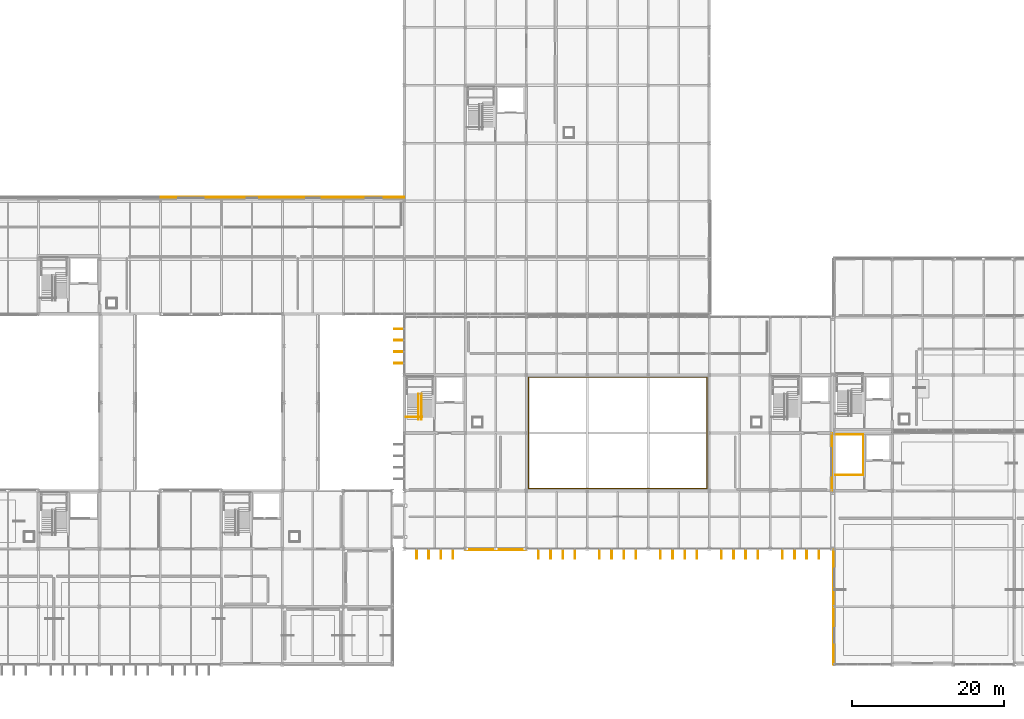
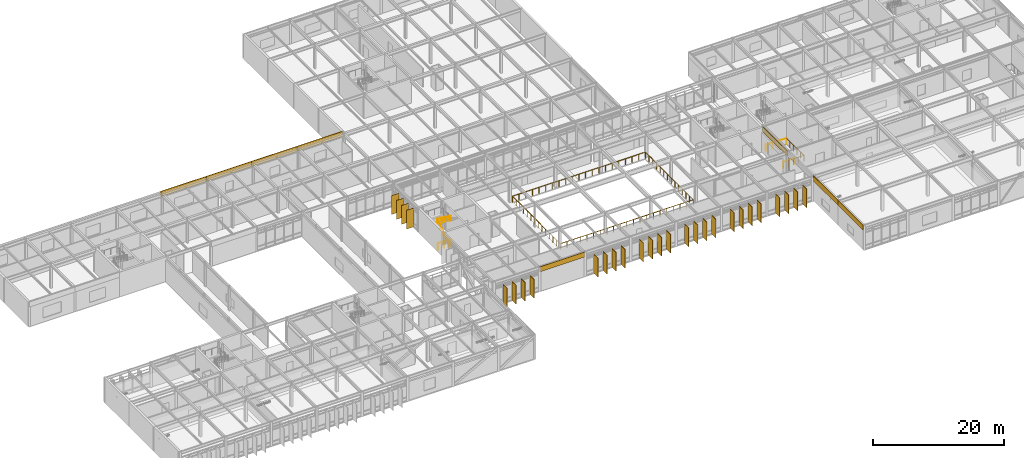
# One storey, part 99 of 104: 28 shading devices, 8 coverings, 7 railings.
"""IFC4 building model written with IfcOpenShell, lengths in metres."""

from ifc_helpers import new_model, si_unit, direction, frame, origin, origin_2d, place, context, subcontext, project, spatial, rectangle, circle, extrude, material, layer, layer_set, type_object, element, save


model = new_model("IFC4")

# Units and contexts
model_context = context("Model", 3, precision=1e-05, world=origin(), true_north=direction((0.0, 1.0)))
body_context = subcontext(model_context, "Body", "Model", "MODEL_VIEW")
ifc_project = project(units=[si_unit("LENGTHUNIT", "METRE"), si_unit("AREAUNIT", "SQUARE_METRE"), si_unit("VOLUMEUNIT", "CUBIC_METRE"), si_unit("PLANEANGLEUNIT", "RADIAN"), si_unit("MASSUNIT", "GRAM", prefix="KILO")], contexts=[model_context])

# Site, building, storey
site_placement = place(None, origin())
site = spatial("IfcSite", under=ifc_project, at=site_placement, CompositionType="ELEMENT")
building_placement = place(site_placement, origin())
building = spatial("IfcBuilding", under=site, at=building_placement, Name="Zulena Civic Courthouse", CompositionType="ELEMENT")
storey_placement = place(building_placement, frame((0.0, 0.0, 15.60009765625)))
storey = spatial("IfcBuildingStorey", under=building, at=storey_placement, Name="L03", CompositionType="ELEMENT", Elevation=15.60009765625)

# Shading devices
ifc_material_1 = material(Name="Gold anodised architectural aluminium AA6063-T6", Category="aluminium")
shading_device_type = type_object("IfcShadingDeviceType", Name="GoldSolarFin_350", PredefinedType="USERDEFINED", material=ifc_material_1)
for number, where, z_axis, x_axis, name in (
    (1, (67.31494140625, 39.54150390625, 0.0498046875), (0.0, 0.0, 1.0), (-1.0, 0.0, 0.0), "fin:V4:L03:0:3:1"),
    (2, (67.31494140625, 41.047119140625, 0.0498046875), (0.0, 0.0, 1.0), (-1.0, 0.0, 0.0), "fin:V4:L03:0:3:2"),
    (3, (67.31494140625, 42.552734375, 0.0498046875), (0.0, 0.0, 1.0), (-1.0, 0.0, 0.0), "fin:V4:L03:0:3:3"),
    (4, (67.31494140625, 44.058349609375, 0.0498046875), (0.0, 0.0, 1.0), (-1.0, 0.0, 0.0), "fin:V4:L03:0:3:4"),
    (5, (122.37841796875, 14.514892578125, 0.0498046875), (0.0, 0.0, 1.0), (0.0, -1.0, 0.0), "fin:V4:L03:3:0:1"),
    (6, (120.792724609375, 14.514892578125, 0.0498046875), (0.0, 0.0, 1.0), (0.0, -1.0, 0.0), "fin:V4:L03:3:0:2"),
    (7, (119.207275390625, 14.514892578125, 0.0498046875), (0.0, 0.0, 1.0), (0.0, -1.0, 0.0), "fin:V4:L03:3:0:3"),
    (8, (117.62158203125, 14.514892578125, 0.0498046875), (0.0, 0.0, 1.0), (0.0, -1.0, 0.0), "fin:V4:L03:3:0:4"),
    (9, (114.37841796875, 14.514892578125, 0.0498046875), (0.0, 0.0, 1.0), (0.0, -1.0, 0.0), "fin:V4:L03:3:1:1"),
    (10, (112.792724609375, 14.514892578125, 0.0498046875), (0.0, 0.0, 1.0), (0.0, -1.0, 0.0), "fin:V4:L03:3:1:2"),
    (11, (111.207275390625, 14.514892578125, 0.0498046875), (0.0, 0.0, 1.0), (0.0, -1.0, 0.0), "fin:V4:L03:3:1:3"),
    (12, (109.62158203125, 14.514892578125, 0.0498046875), (0.0, 0.0, 1.0), (0.0, -1.0, 0.0), "fin:V4:L03:3:1:4"),
    (13, (106.37841796875, 14.514892578125, 0.0498046875), (0.0, 0.0, 1.0), (0.0, -1.0, 0.0), "fin:V4:L03:3:2:1"),
    (14, (104.792724609375, 14.514892578125, 0.0498046875), (0.0, 0.0, 1.0), (0.0, -1.0, 0.0), "fin:V4:L03:3:2:2"),
    (15, (103.207275390625, 14.514892578125, 0.0498046875), (0.0, 0.0, 1.0), (0.0, -1.0, 0.0), "fin:V4:L03:3:2:3"),
    (16, (101.62158203125, 14.514892578125, 0.0498046875), (0.0, 0.0, 1.0), (0.0, -1.0, 0.0), "fin:V4:L03:3:2:4"),
    (17, (98.37841796875, 14.514892578125, 0.0498046875), (0.0, 0.0, 1.0), (0.0, -1.0, 0.0), "fin:V4:L03:3:3:1"),
    (18, (96.792724609375, 14.514892578125, 0.0498046875), (0.0, 0.0, 1.0), (0.0, -1.0, 0.0), "fin:V4:L03:3:3:2"),
    (19, (95.207275390625, 14.514892578125, 0.0498046875), (0.0, 0.0, 1.0), (0.0, -1.0, 0.0), "fin:V4:L03:3:3:3"),
    (20, (93.62158203125, 14.514892578125, 0.0498046875), (0.0, 0.0, 1.0), (0.0, -1.0, 0.0), "fin:V4:L03:3:3:4"),
    (21, (90.37841796875, 14.514892578125, 0.0498046875), (0.0, 0.0, 1.0), (0.0, -1.0, 0.0), "fin:V4:L03:3:4:1"),
    (22, (88.792724609375, 14.514892578125, 0.0498046875), (0.0, 0.0, 1.0), (0.0, -1.0, 0.0), "fin:V4:L03:3:4:2"),
    (23, (87.207275390625, 14.514892578125, 0.0498046875), (0.0, 0.0, 1.0), (0.0, -1.0, 0.0), "fin:V4:L03:3:4:3"),
    (24, (85.62158203125, 14.514892578125, 0.0498046875), (0.0, 0.0, 1.0), (0.0, -1.0, 0.0), "fin:V4:L03:3:4:4"),
    (25, (74.37841796875, 14.514892578125, 0.0498046875), (0.0, 0.0, 1.0), (0.0, -1.0, 0.0), "fin:V4:L03:3:6:1"),
    (26, (72.792724609375, 14.514892578125, 0.0498046875), (0.0, 0.0, 1.0), (0.0, -1.0, 0.0), "fin:V4:L03:3:6:2"),
    (27, (71.207275390625, 14.514892578125, 0.0498046875), (0.0, 0.0, 1.0), (0.0, -1.0, 0.0), "fin:V4:L03:3:6:3"),
    (28, (69.62158203125, 14.514892578125, 0.0498046875), (0.0, 0.0, 1.0), (0.0, -1.0, 0.0), "fin:V4:L03:3:6:4"),
):
    element("IfcShadingDevice", number, at=place(storey_placement, frame(where, z_axis=z_axis, x_axis=x_axis)), inside=storey, type_object=shading_device_type, Name=name, ObjectType="FIN", PredefinedType="USERDEFINED", context=body_context, shape_type="SweptSolid", body=[
        extrude(rectangle(XDim=1.25, YDim=0.080078125, at=origin_2d()), origin(), (0.0, 0.0, 1.0), 3.5),
    ])

# Railings
ifc_material_2 = material(Name="Brushed architectural steel ASTM A36", Category="steel")
railing_type_1 = type_object("IfcRailingType", Name="InteriorGuardrail_1150", PredefinedType="GUARDRAIL", material=ifc_material_2)
railing_1_placement = place(storey_placement, frame((124.60009765625, 30.2099609375, 0.0)))
element("IfcRailing", 29, at=railing_1_placement, inside=storey, type_object=railing_type_1, Name="gr:wellN:K1A:L02", PredefinedType="GUARDRAIL", context=body_context, shape_type="SweptSolid", body=[
    extrude(circle(Radius=0.02392578125, at=origin_2d()), frame((0.00390625, 0.0, 1.1259765625), z_axis=(1.0, 0.0, 0.0), x_axis=(0.0, 1.0, 0.0)), (0.0, 0.0, 1.0), 3.591796875),
    extrude(circle(Radius=0.02099609375, at=origin_2d()), origin(), (0.0, 0.0, 1.0), 1.097900390625),
    extrude(circle(Radius=0.02099609375, at=origin_2d()), frame((1.199951171875, 0.0, 0.0)), (0.0, 0.0, 1.0), 1.097900390625),
    extrude(circle(Radius=0.02099609375, at=origin_2d()), frame((2.39990234375, 0.0, 0.0)), (0.0, 0.0, 1.0), 1.097900390625),
    extrude(circle(Radius=0.02099609375, at=origin_2d()), frame((3.599853515625, 0.0, 0.0)), (0.0, 0.0, 1.0), 1.097900390625),
])
railing_2_placement = place(storey_placement, frame((128.199951171875, 30.219970703125, 0.0)))
element("IfcRailing", 30, at=railing_2_placement, inside=storey, type_object=railing_type_1, Name="gr:topwell:K1A:L02", PredefinedType="GUARDRAIL", context=body_context, shape_type="SweptSolid", body=[
    extrude(circle(Radius=0.02392578125, at=origin_2d()), frame((0.0, -0.00390625, 1.1259765625), z_axis=(0.0, -1.0, 0.0), x_axis=(1.0, 0.0, 0.0)), (0.0, 0.0, 1.0), 5.33203125),
    extrude(circle(Radius=0.02392578125, at=origin_2d()), frame((-0.00390625, -5.340087890625, 1.1259765625), z_axis=(-1.0, 0.0, 0.0), x_axis=(0.0, -1.0, 0.0)), (0.0, 0.0, 1.0), 3.61181640625),
    extrude(circle(Radius=0.02099609375, at=origin_2d()), origin(), (0.0, 0.0, 1.0), 1.097900390625),
    extrude(circle(Radius=0.02099609375, at=origin_2d()), frame((0.0, -1.068115234375, 0.0)), (0.0, 0.0, 1.0), 1.097900390625),
    extrude(circle(Radius=0.02099609375, at=origin_2d()), frame((0.0, -2.135986328125, 0.0)), (0.0, 0.0, 1.0), 1.097900390625),
    extrude(circle(Radius=0.02099609375, at=origin_2d()), frame((0.0, -3.2041015625, 0.0)), (0.0, 0.0, 1.0), 1.097900390625),
    extrude(circle(Radius=0.02099609375, at=origin_2d()), frame((0.0, -4.27197265625, 0.0)), (0.0, 0.0, 1.0), 1.097900390625),
    extrude(circle(Radius=0.02099609375, at=origin_2d()), frame((0.0, -5.340087890625, 0.0)), (0.0, 0.0, 1.0), 1.097900390625),
    extrude(circle(Radius=0.02099609375, at=origin_2d()), frame((-0.905029296875, -5.340087890625, 0.0)), (0.0, 0.0, 1.0), 1.097900390625),
    extrude(circle(Radius=0.02099609375, at=origin_2d()), frame((-1.81005859375, -5.340087890625, 0.0)), (0.0, 0.0, 1.0), 1.097900390625),
    extrude(circle(Radius=0.02099609375, at=origin_2d()), frame((-2.71484375, -5.340087890625, 0.0)), (0.0, 0.0, 1.0), 1.097900390625),
    extrude(circle(Radius=0.02099609375, at=origin_2d()), frame((-3.619873046875, -5.340087890625, 0.0)), (0.0, 0.0, 1.0), 1.097900390625),
])
railing_3_placement = place(storey_placement, frame((124.580078125, 24.89990234375, 0.0)))
element("IfcRailing", 31, at=railing_3_placement, inside=storey, type_object=railing_type_1, Name="gr:wells:K1A:L03", PredefinedType="GUARDRAIL", context=body_context, shape_type="SweptSolid", body=[
    extrude(circle(Radius=0.02392578125, at=origin_2d()), frame((0.00390625, 0.0, 1.1259765625), z_axis=(1.0, 0.0, 0.0), x_axis=(0.0, 1.0, 0.0)), (0.0, 0.0, 1.0), 2.11181640625),
    extrude(circle(Radius=0.02099609375, at=origin_2d()), origin(), (0.0, 0.0, 1.0), 1.097900390625),
    extrude(circle(Radius=0.02099609375, at=origin_2d()), frame((1.06005859375, 0.0, 0.0)), (0.0, 0.0, 1.0), 1.097900390625),
    extrude(circle(Radius=0.02099609375, at=origin_2d()), frame((2.119873046875, 0.0, 0.0)), (0.0, 0.0, 1.0), 1.097900390625),
])
railing_4_placement = place(storey_placement, frame((68.179931640625, 32.5, 0.0)))
element("IfcRailing", 32, at=railing_4_placement, inside=storey, type_object=railing_type_1, Name="gr:wells:K4A:L03", PredefinedType="GUARDRAIL", context=body_context, shape_type="SweptSolid", body=[
    extrude(circle(Radius=0.02392578125, at=origin_2d()), frame((0.00390625, 0.0, 1.1259765625), z_axis=(1.0, 0.0, 0.0), x_axis=(0.0, 1.0, 0.0)), (0.0, 0.0, 1.0), 2.112060546875),
    extrude(circle(Radius=0.02099609375, at=origin_2d()), origin(), (0.0, 0.0, 1.0), 1.097900390625),
    extrude(circle(Radius=0.02099609375, at=origin_2d()), frame((1.06005859375, 0.0, 0.0)), (0.0, 0.0, 1.0), 1.097900390625),
    extrude(circle(Radius=0.02099609375, at=origin_2d()), frame((2.1201171875, 0.0, 0.0)), (0.0, 0.0, 1.0), 1.097900390625),
])
railing_5_placement = place(storey_placement, frame((84.300048828125, 23.10009765625, 0.0)))
element("IfcRailing", 33, at=railing_5_placement, inside=storey, type_object=railing_type_1, Name="guard:void:V4:L03:atr", PredefinedType="GUARDRAIL", context=body_context, shape_type="SweptSolid", body=[
    extrude(circle(Radius=0.02392578125, at=origin_2d()), frame((0.00390625, 0.0, 1.1259765625), z_axis=(1.0, 0.0, 0.0), x_axis=(0.0, 1.0, 0.0)), (0.0, 0.0, 1.0), 23.391845703125),
    extrude(circle(Radius=0.02392578125, at=origin_2d()), frame((23.39990234375, 0.00390625, 1.1259765625), z_axis=(0.0, 1.0, 0.0), x_axis=(-1.0, 0.0, 0.0)), (0.0, 0.0, 1.0), 14.591796875),
    extrude(circle(Radius=0.02392578125, at=origin_2d()), frame((23.39599609375, 14.599853515625, 1.1259765625), z_axis=(-1.0, 0.0, 0.0), x_axis=(0.0, -1.0, 0.0)), (0.0, 0.0, 1.0), 23.391845703125),
    extrude(circle(Radius=0.02392578125, at=origin_2d()), frame((0.0, 14.595947265625, 1.1259765625), z_axis=(0.0, -1.0, 0.0), x_axis=(1.0, 0.0, 0.0)), (0.0, 0.0, 1.0), 14.591796875),
    extrude(circle(Radius=0.02099609375, at=origin_2d()), origin(), (0.0, 0.0, 1.0), 1.097900390625),
    extrude(circle(Radius=0.02099609375, at=origin_2d()), frame((1.169921875, 0.0, 0.0)), (0.0, 0.0, 1.0), 1.097900390625),
    extrude(circle(Radius=0.02099609375, at=origin_2d()), frame((2.340087890625, 0.0, 0.0)), (0.0, 0.0, 1.0), 1.097900390625),
    extrude(circle(Radius=0.02099609375, at=origin_2d()), frame((3.510009765625, 0.0, 0.0)), (0.0, 0.0, 1.0), 1.097900390625),
    extrude(circle(Radius=0.02099609375, at=origin_2d()), frame((4.679931640625, 0.0, 0.0)), (0.0, 0.0, 1.0), 1.097900390625),
    extrude(circle(Radius=0.02099609375, at=origin_2d()), frame((5.85009765625, 0.0, 0.0)), (0.0, 0.0, 1.0), 1.097900390625),
    extrude(circle(Radius=0.02099609375, at=origin_2d()), frame((7.02001953125, 0.0, 0.0)), (0.0, 0.0, 1.0), 1.097900390625),
    extrude(circle(Radius=0.02099609375, at=origin_2d()), frame((8.18994140625, 0.0, 0.0)), (0.0, 0.0, 1.0), 1.097900390625),
    extrude(circle(Radius=0.02099609375, at=origin_2d()), frame((9.35986328125, 0.0, 0.0)), (0.0, 0.0, 1.0), 1.097900390625),
    extrude(circle(Radius=0.02099609375, at=origin_2d()), frame((10.530029296875, 0.0, 0.0)), (0.0, 0.0, 1.0), 1.097900390625),
    extrude(circle(Radius=0.02099609375, at=origin_2d()), frame((11.699951171875, 0.0, 0.0)), (0.0, 0.0, 1.0), 1.097900390625),
    extrude(circle(Radius=0.02099609375, at=origin_2d()), frame((12.869873046875, 0.0, 0.0)), (0.0, 0.0, 1.0), 1.097900390625),
    extrude(circle(Radius=0.02099609375, at=origin_2d()), frame((14.0400390625, 0.0, 0.0)), (0.0, 0.0, 1.0), 1.097900390625),
    extrude(circle(Radius=0.02099609375, at=origin_2d()), frame((15.2099609375, 0.0, 0.0)), (0.0, 0.0, 1.0), 1.097900390625),
    extrude(circle(Radius=0.02099609375, at=origin_2d()), frame((16.3798828125, 0.0, 0.0)), (0.0, 0.0, 1.0), 1.097900390625),
    extrude(circle(Radius=0.02099609375, at=origin_2d()), frame((17.5498046875, 0.0, 0.0)), (0.0, 0.0, 1.0), 1.097900390625),
    extrude(circle(Radius=0.02099609375, at=origin_2d()), frame((18.719970703125, 0.0, 0.0)), (0.0, 0.0, 1.0), 1.097900390625),
    extrude(circle(Radius=0.02099609375, at=origin_2d()), frame((19.889892578125, 0.0, 0.0)), (0.0, 0.0, 1.0), 1.097900390625),
    extrude(circle(Radius=0.02099609375, at=origin_2d()), frame((21.059814453125, 0.0, 0.0)), (0.0, 0.0, 1.0), 1.097900390625),
    extrude(circle(Radius=0.02099609375, at=origin_2d()), frame((22.22998046875, 0.0, 0.0)), (0.0, 0.0, 1.0), 1.097900390625),
    extrude(circle(Radius=0.02099609375, at=origin_2d()), frame((23.39990234375, 0.0, 0.0)), (0.0, 0.0, 1.0), 1.097900390625),
    extrude(circle(Radius=0.02099609375, at=origin_2d()), frame((23.39990234375, 1.123046875, 0.0)), (0.0, 0.0, 1.0), 1.097900390625),
    extrude(circle(Radius=0.02099609375, at=origin_2d()), frame((23.39990234375, 2.24609375, 0.0)), (0.0, 0.0, 1.0), 1.097900390625),
    extrude(circle(Radius=0.02099609375, at=origin_2d()), frame((23.39990234375, 3.369140625, 0.0)), (0.0, 0.0, 1.0), 1.097900390625),
    extrude(circle(Radius=0.02099609375, at=origin_2d()), frame((23.39990234375, 4.4921875, 0.0)), (0.0, 0.0, 1.0), 1.097900390625),
    extrude(circle(Radius=0.02099609375, at=origin_2d()), frame((23.39990234375, 5.615234375, 0.0)), (0.0, 0.0, 1.0), 1.097900390625),
    extrude(circle(Radius=0.02099609375, at=origin_2d()), frame((23.39990234375, 6.73828125, 0.0)), (0.0, 0.0, 1.0), 1.097900390625),
    extrude(circle(Radius=0.02099609375, at=origin_2d()), frame((23.39990234375, 7.861572265625, 0.0)), (0.0, 0.0, 1.0), 1.097900390625),
    extrude(circle(Radius=0.02099609375, at=origin_2d()), frame((23.39990234375, 8.984619140625, 0.0)), (0.0, 0.0, 1.0), 1.097900390625),
    extrude(circle(Radius=0.02099609375, at=origin_2d()), frame((23.39990234375, 10.107666015625, 0.0)), (0.0, 0.0, 1.0), 1.097900390625),
    extrude(circle(Radius=0.02099609375, at=origin_2d()), frame((23.39990234375, 11.230712890625, 0.0)), (0.0, 0.0, 1.0), 1.097900390625),
    extrude(circle(Radius=0.02099609375, at=origin_2d()), frame((23.39990234375, 12.353759765625, 0.0)), (0.0, 0.0, 1.0), 1.097900390625),
    extrude(circle(Radius=0.02099609375, at=origin_2d()), frame((23.39990234375, 13.476806640625, 0.0)), (0.0, 0.0, 1.0), 1.097900390625),
    extrude(circle(Radius=0.02099609375, at=origin_2d()), frame((23.39990234375, 14.599853515625, 0.0)), (0.0, 0.0, 1.0), 1.097900390625),
    extrude(circle(Radius=0.02099609375, at=origin_2d()), frame((22.22998046875, 14.599853515625, 0.0)), (0.0, 0.0, 1.0), 1.097900390625),
    extrude(circle(Radius=0.02099609375, at=origin_2d()), frame((21.059814453125, 14.599853515625, 0.0)), (0.0, 0.0, 1.0), 1.097900390625),
    extrude(circle(Radius=0.02099609375, at=origin_2d()), frame((19.889892578125, 14.599853515625, 0.0)), (0.0, 0.0, 1.0), 1.097900390625),
    extrude(circle(Radius=0.02099609375, at=origin_2d()), frame((18.719970703125, 14.599853515625, 0.0)), (0.0, 0.0, 1.0), 1.097900390625),
    extrude(circle(Radius=0.02099609375, at=origin_2d()), frame((17.5498046875, 14.599853515625, 0.0)), (0.0, 0.0, 1.0), 1.097900390625),
    extrude(circle(Radius=0.02099609375, at=origin_2d()), frame((16.3798828125, 14.599853515625, 0.0)), (0.0, 0.0, 1.0), 1.097900390625),
    extrude(circle(Radius=0.02099609375, at=origin_2d()), frame((15.2099609375, 14.599853515625, 0.0)), (0.0, 0.0, 1.0), 1.097900390625),
    extrude(circle(Radius=0.02099609375, at=origin_2d()), frame((14.0400390625, 14.599853515625, 0.0)), (0.0, 0.0, 1.0), 1.097900390625),
    extrude(circle(Radius=0.02099609375, at=origin_2d()), frame((12.869873046875, 14.599853515625, 0.0)), (0.0, 0.0, 1.0), 1.097900390625),
    extrude(circle(Radius=0.02099609375, at=origin_2d()), frame((11.699951171875, 14.599853515625, 0.0)), (0.0, 0.0, 1.0), 1.097900390625),
    extrude(circle(Radius=0.02099609375, at=origin_2d()), frame((10.530029296875, 14.599853515625, 0.0)), (0.0, 0.0, 1.0), 1.097900390625),
    extrude(circle(Radius=0.02099609375, at=origin_2d()), frame((9.35986328125, 14.599853515625, 0.0)), (0.0, 0.0, 1.0), 1.097900390625),
    extrude(circle(Radius=0.02099609375, at=origin_2d()), frame((8.18994140625, 14.599853515625, 0.0)), (0.0, 0.0, 1.0), 1.097900390625),
    extrude(circle(Radius=0.02099609375, at=origin_2d()), frame((7.02001953125, 14.599853515625, 0.0)), (0.0, 0.0, 1.0), 1.097900390625),
    extrude(circle(Radius=0.02099609375, at=origin_2d()), frame((5.85009765625, 14.599853515625, 0.0)), (0.0, 0.0, 1.0), 1.097900390625),
    extrude(circle(Radius=0.02099609375, at=origin_2d()), frame((4.679931640625, 14.599853515625, 0.0)), (0.0, 0.0, 1.0), 1.097900390625),
    extrude(circle(Radius=0.02099609375, at=origin_2d()), frame((3.510009765625, 14.599853515625, 0.0)), (0.0, 0.0, 1.0), 1.097900390625),
    extrude(circle(Radius=0.02099609375, at=origin_2d()), frame((2.340087890625, 14.599853515625, 0.0)), (0.0, 0.0, 1.0), 1.097900390625),
    extrude(circle(Radius=0.02099609375, at=origin_2d()), frame((1.169921875, 14.599853515625, 0.0)), (0.0, 0.0, 1.0), 1.097900390625),
    extrude(circle(Radius=0.02099609375, at=origin_2d()), frame((0.0, 14.599853515625, 0.0)), (0.0, 0.0, 1.0), 1.097900390625),
    extrude(circle(Radius=0.02099609375, at=origin_2d()), frame((0.0, 13.476806640625, 0.0)), (0.0, 0.0, 1.0), 1.097900390625),
    extrude(circle(Radius=0.02099609375, at=origin_2d()), frame((0.0, 12.353759765625, 0.0)), (0.0, 0.0, 1.0), 1.097900390625),
    extrude(circle(Radius=0.02099609375, at=origin_2d()), frame((0.0, 11.230712890625, 0.0)), (0.0, 0.0, 1.0), 1.097900390625),
    extrude(circle(Radius=0.02099609375, at=origin_2d()), frame((0.0, 10.107666015625, 0.0)), (0.0, 0.0, 1.0), 1.097900390625),
    extrude(circle(Radius=0.02099609375, at=origin_2d()), frame((0.0, 8.984619140625, 0.0)), (0.0, 0.0, 1.0), 1.097900390625),
    extrude(circle(Radius=0.02099609375, at=origin_2d()), frame((0.0, 7.861572265625, 0.0)), (0.0, 0.0, 1.0), 1.097900390625),
    extrude(circle(Radius=0.02099609375, at=origin_2d()), frame((0.0, 6.73828125, 0.0)), (0.0, 0.0, 1.0), 1.097900390625),
    extrude(circle(Radius=0.02099609375, at=origin_2d()), frame((0.0, 5.615234375, 0.0)), (0.0, 0.0, 1.0), 1.097900390625),
    extrude(circle(Radius=0.02099609375, at=origin_2d()), frame((0.0, 4.4921875, 0.0)), (0.0, 0.0, 1.0), 1.097900390625),
    extrude(circle(Radius=0.02099609375, at=origin_2d()), frame((0.0, 3.369140625, 0.0)), (0.0, 0.0, 1.0), 1.097900390625),
    extrude(circle(Radius=0.02099609375, at=origin_2d()), frame((0.0, 2.24609375, 0.0)), (0.0, 0.0, 1.0), 1.097900390625),
    extrude(circle(Radius=0.02099609375, at=origin_2d()), frame((0.0, 1.123046875, 0.0)), (0.0, 0.0, 1.0), 1.097900390625),
])

# Coverings
ifc_material_3 = material(Name="White architectural precast concrete C40/50", Category="concrete")
ifc_layer = layer(ifc_material_3, 0.0849609375)
ifc_layer_set = layer_set([ifc_layer], Name="White architectural precast concrete C40/50")
covering_type = type_object("IfcCoveringType", Name="PrecastSpandrelCladding_85", PredefinedType="CLADDING", material=ifc_layer_set)
for number, where, z_axis, x_axis, name in (
    (34, (124.280029296875, 3.800048828125, 3.659912109375), (0.0, 0.0, 1.0), (0.0, 1.0, 0.0), "clad:sp:V1:L03:0:0"),
    (35, (124.280029296875, 11.39990234375, 3.659912109375), (0.0, 0.0, 1.0), (0.0, 1.0, 0.0), "clad:sp:V1:L03:0:1"),
    (36, (124.1201171875, 26.60009765625, 3.659912109375), (0.0, 0.0, 1.0), (0.0, -1.0, 0.0), "clad:sp:V4:L03:2:2"),
):
    element("IfcCovering", number, at=place(storey_placement, frame(where, z_axis=z_axis, x_axis=x_axis)), inside=storey, type_object=covering_type, Name=name, PredefinedType="CLADDING", context=body_context, shape_type="SweptSolid", body=[
        extrude(rectangle(XDim=7.56005859375, YDim=0.0849609375, at=origin_2d()), origin(), (0.0, 0.0, 1.0), 0.93994140625),
    ])
for number, where, z_axis, x_axis, name in (
    (37, (80.0, 15.080078125, 3.659912109375), (0.0, 0.0, 1.0), (-1.0, 0.0, 0.0), "clad:sp:V4:L03:3:5"),
    (38, (40.0, 61.320068359375, 3.659912109375), (0.0, 0.0, 1.0), (1.0, 0.0, 0.0), "clad:sp:V5:L03:1:4"),
    (39, (48.0, 61.320068359375, 3.659912109375), (0.0, 0.0, 1.0), (1.0, 0.0, 0.0), "clad:sp:V5:L03:1:5"),
    (40, (56.0, 61.320068359375, 3.659912109375), (0.0, 0.0, 1.0), (1.0, 0.0, 0.0), "clad:sp:V5:L03:1:6"),
    (41, (64.0, 61.320068359375, 3.659912109375), (0.0, 0.0, 1.0), (1.0, 0.0, 0.0), "clad:sp:V5:L03:1:7"),
):
    element("IfcCovering", number, at=place(storey_placement, frame(where, z_axis=z_axis, x_axis=x_axis)), inside=storey, type_object=covering_type, Name=name, PredefinedType="CLADDING", context=body_context, shape_type="SweptSolid", body=[
        extrude(rectangle(XDim=7.9599609375, YDim=0.0849609375, at=origin_2d()), origin(), (0.0, 0.0, 1.0), 0.93994140625),
    ])

# Railings
railing_type_2 = type_object("IfcRailingType", Name="StairHandrail_920", PredefinedType="HANDRAIL", material=ifc_material_2)
railing_6_placement = place(storey_placement, frame((69.85009765625, 32.179931640625, 0.0)))
element("IfcRailing", 42, at=railing_6_placement, inside=storey, type_object=railing_type_2, Name="hr:K4A:L03:1", PredefinedType="HANDRAIL", context=body_context, shape_type="SweptSolid", body=[
    extrude(circle(Radius=0.02392578125, at=origin_2d()), frame((0.0, 0.003173828125, 0.898193359375), z_axis=(0.0, 0.80998804985, 0.586446382119), x_axis=(-1.0, 0.0, 0.0)), (0.0, 0.0, 1.0), 4.084228515625),
    extrude(circle(Radius=0.02099609375, at=origin_2d()), origin(), (0.0, 0.0, 1.0), 0.867919921875),
    extrude(circle(Radius=0.02099609375, at=origin_2d()), frame((0.0, 0.82861328125, 0.60009765625)), (0.0, 0.0, 1.0), 0.867919921875),
    extrude(circle(Radius=0.02099609375, at=origin_2d()), frame((0.0, 1.6572265625, 1.199951171875)), (0.0, 0.0, 1.0), 0.867919921875),
    extrude(circle(Radius=0.02099609375, at=origin_2d()), frame((0.0, 2.486083984375, 1.7998046875)), (0.0, 0.0, 1.0), 0.867919921875),
    extrude(circle(Radius=0.02099609375, at=origin_2d()), frame((0.0, 3.314697265625, 2.39990234375)), (0.0, 0.0, 1.0), 0.867919921875),
])
railing_7_placement = place(storey_placement, frame((70.25, 35.49462890625, 2.39990234375)))
element("IfcRailing", 43, at=railing_7_placement, inside=storey, type_object=railing_type_2, Name="hr:K4A:L03:2", PredefinedType="HANDRAIL", context=body_context, shape_type="SweptSolid", body=[
    extrude(circle(Radius=0.02392578125, at=origin_2d()), frame((0.0, -0.003173828125, 0.898193359375), z_axis=(0.0, -0.80998804985, 0.586446382119), x_axis=(1.0, 0.0, 0.0)), (0.0, 0.0, 1.0), 4.084228515625),
    extrude(circle(Radius=0.02099609375, at=origin_2d()), origin(), (0.0, 0.0, 1.0), 0.867919921875),
    extrude(circle(Radius=0.02099609375, at=origin_2d()), frame((0.0, -0.82861328125, 0.60009765625)), (0.0, 0.0, 1.0), 0.867919921875),
    extrude(circle(Radius=0.02099609375, at=origin_2d()), frame((0.0, -1.6572265625, 1.199951171875)), (0.0, 0.0, 1.0), 0.867919921875),
    extrude(circle(Radius=0.02099609375, at=origin_2d()), frame((0.0, -2.486083984375, 1.7998046875)), (0.0, 0.0, 1.0), 0.867919921875),
    extrude(circle(Radius=0.02099609375, at=origin_2d()), frame((0.0, -3.314697265625, 2.39990234375)), (0.0, 0.0, 1.0), 0.867919921875),
])

save(model, "model.ifc")
